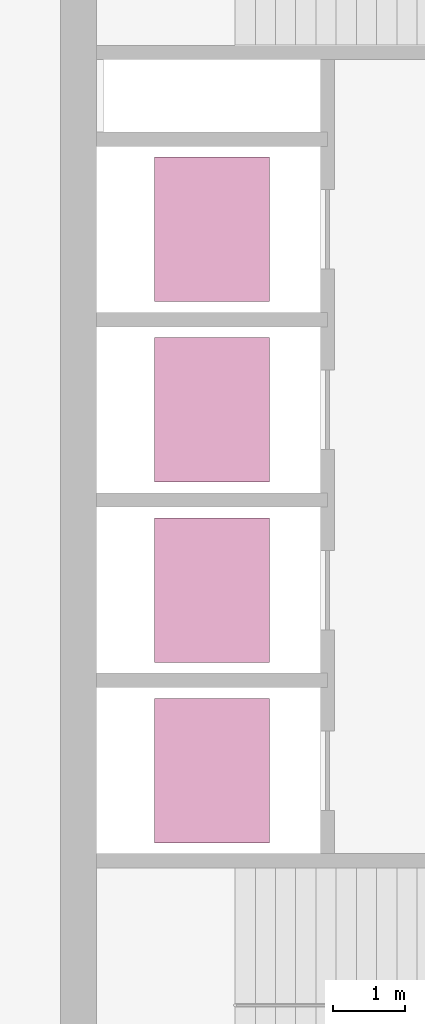
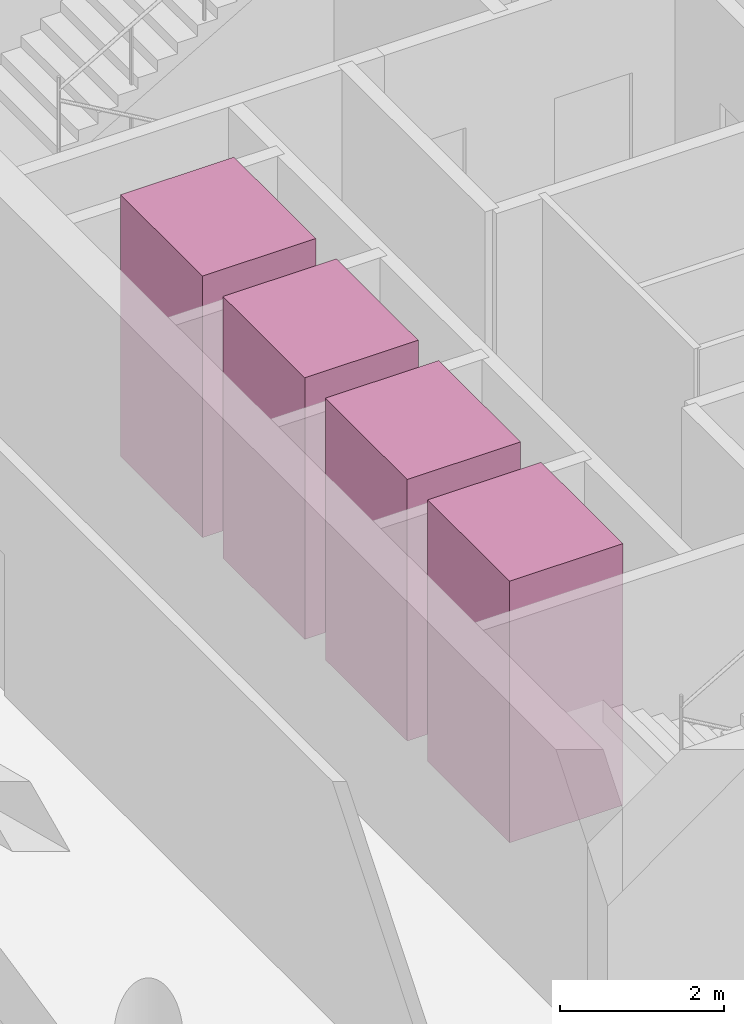
# One storey, part 9 of 9: 4 transport elements.
"""IFC4 building model written with IfcOpenShell, lengths in metres."""

from ifc_helpers import new_model, si_unit, direction, frame, origin, origin_2d, place, context, subcontext, project, spatial, rectangle, extrude, material, type_object, element, save


model = new_model("IFC4")

# Units and contexts
model_context = context("Model", 3, precision=1e-05, world=origin(), true_north=direction((0.0, 1.0)))
body_context = subcontext(model_context, "Body", "Model", "MODEL_VIEW")
ifc_project = project(units=[si_unit("LENGTHUNIT", "METRE"), si_unit("AREAUNIT", "SQUARE_METRE"), si_unit("VOLUMEUNIT", "CUBIC_METRE"), si_unit("PLANEANGLEUNIT", "RADIAN"), si_unit("MASSUNIT", "GRAM", prefix="KILO")], contexts=[model_context])

# Site, building, storey
site_placement = place(None, origin())
site = spatial("IfcSite", under=ifc_project, at=site_placement, CompositionType="ELEMENT")
building_placement = place(site_placement, origin())
building = spatial("IfcBuilding", under=site, at=building_placement, Name="Qaws Garden Tower", CompositionType="ELEMENT")
storey_placement = place(building_placement, frame((0.0, 0.0, 255.300048828125)))
storey = spatial("IfcBuildingStorey", under=building, at=storey_placement, Name="L61", CompositionType="ELEMENT", Elevation=255.300048828125)

# Transport elements
ifc_material = material(Name="Stainless steel 316", Category="steel")
transport_element_type = type_object("IfcTransportElementType", Name="Passenger lift car 2000x1600 1800 kg", PredefinedType="ELEVATOR", material=ifc_material)
for number, where, z_axis, x_axis, name in (
    (1, (10.10009765625, 13.64990234375, 0.0), (0.0, 0.0, 1.0), (1.0, 0.0, 0.0), "HR1"),
    (2, (10.10009765625, 16.14990234375, 0.0), (0.0, 0.0, 1.0), (1.0, 0.0, 0.0), "HR2"),
    (3, (10.10009765625, 18.64990234375, 0.0), (0.0, 0.0, 1.0), (1.0, 0.0, 0.0), "HR3"),
    (4, (10.10009765625, 21.14990234375, 0.0), (0.0, 0.0, 1.0), (1.0, 0.0, 0.0), "HR4"),
):
    element("IfcTransportElement", number, at=place(storey_placement, frame(where, z_axis=z_axis, x_axis=x_axis)), inside=storey, type_object=transport_element_type, Name=name, PredefinedType="ELEVATOR", context=body_context, shape_type="SweptSolid", body=[
        extrude(rectangle(XDim=1.60009765625, YDim=2.0, at=origin_2d()), origin(), (0.0, 0.0, 1.0), 3.89990234375),
    ])

save(model, "model.ifc")
